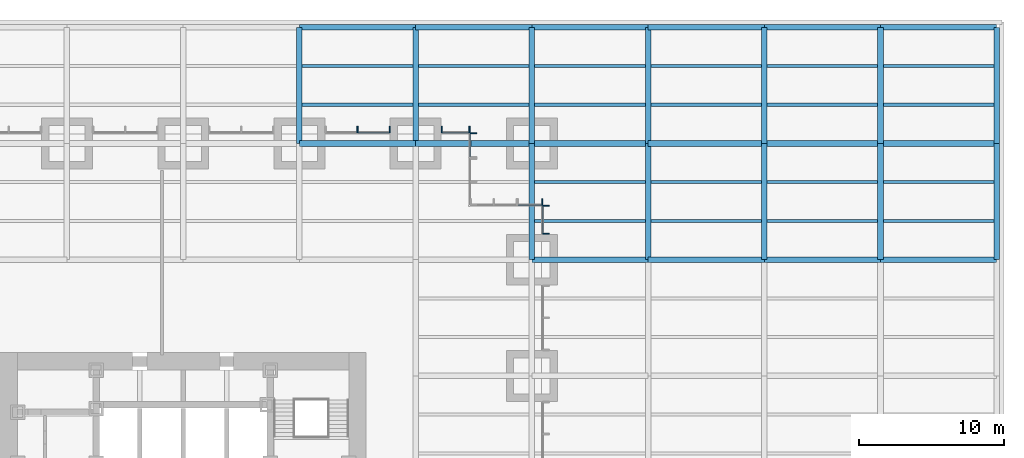
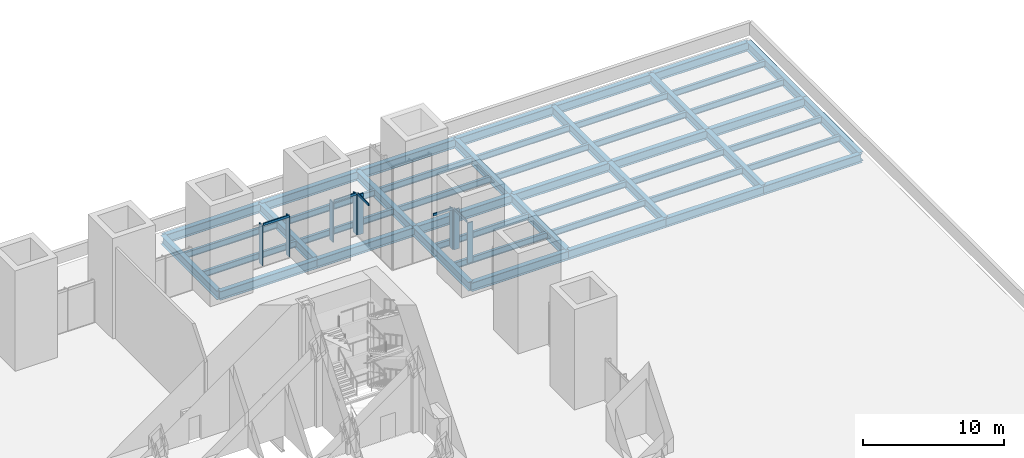
# One storey, part 11 of 20: 48 beams, 13 members, 5 elements without a shape of their own.
"""IFC4 building model written with IfcOpenShell, lengths in metres."""

from ifc_helpers import new_model, si_unit, direction, frame, origin, origin_2d, place, context, subcontext, project, spatial, rectangle, i_section, extrude, material, material_profile, profile_set, type_object, element, aggregate, save


model = new_model("IFC4")

# Units and contexts
model_context = context("Model", 3, precision=1e-05, world=origin(), true_north=direction((0.0, 1.0)))
body_context = subcontext(model_context, "Body", "Model", "MODEL_VIEW")
ifc_project = project(units=[si_unit("LENGTHUNIT", "METRE"), si_unit("AREAUNIT", "SQUARE_METRE"), si_unit("VOLUMEUNIT", "CUBIC_METRE"), si_unit("PLANEANGLEUNIT", "RADIAN"), si_unit("MASSUNIT", "GRAM", prefix="KILO")], contexts=[model_context])

# Site, building, storey
site_placement = place(None, origin())
site = spatial("IfcSite", under=ifc_project, at=site_placement, CompositionType="ELEMENT")
building_placement = place(site_placement, origin())
building = spatial("IfcBuilding", under=site, at=building_placement, Name="Daluyong Arena Tower", CompositionType="ELEMENT")
storey_placement = place(building_placement, frame((0.0, 0.0, 25.89990234375)))
storey = spatial("IfcBuildingStorey", under=building, at=storey_placement, Name="L05", CompositionType="ELEMENT", Elevation=25.89990234375)

# Curtain wall, members
ifc_material_1 = material(Name="Bronze anodised aluminium and glass", Category="aluminium")
curtain_wall_type = type_object("IfcCurtainWallType", Name="Curtain wall CW6", PredefinedType="USERDEFINED", material=ifc_material_1)
curtain_wall_1_placement = place(storey_placement, origin())
curtain_wall_1 = element("IfcCurtainWall", 1, at=curtain_wall_1_placement, inside=storey, type_object=curtain_wall_type, Name="curtain wall L05 E bay 6", ObjectType="UNITISED CURTAIN WALL", PredefinedType="USERDEFINED")
ifc_material_2 = material(Name="Bronze anodised aluminium fin", Category="aluminium")
ifc_material_profile_1 = material_profile(ifc_material_2, rectangle(XDim=0.449951171875, YDim=0.080078125, at=origin_2d()))
ifc_profile_set_1 = profile_set([ifc_material_profile_1], Name="Bronze anodised aluminium fin")
member_type_1 = type_object("IfcMemberType", Name="CW6 bronze fin 450x80", PredefinedType="MULLION", material=ifc_profile_set_1)
member_1_placement = place(storey_placement, frame((80.97509765625, 97.7900390625, 0.0), z_axis=(0.0, 0.0, 1.0), x_axis=(-1.0, 0.0, 0.0)))
member_1 = element("IfcMember", 2, at=member_1_placement, type_object=member_type_1, Name="curtain wall L05 E bay 6 fin 1", PredefinedType="MULLION", context=body_context, shape_type="SweptSolid", body=[
    extrude(rectangle(XDim=0.449951171875, YDim=0.080078125, at=origin_2d()), origin(), (0.0, 0.0, 1.0), 3.5),
])
member_2_placement = place(storey_placement, frame((80.97509765625, 99.7099609375, 0.0), z_axis=(0.0, 0.0, 1.0), x_axis=(-1.0, 0.0, 0.0)))
member_2 = element("IfcMember", 3, at=member_2_placement, type_object=member_type_1, Name="curtain wall L05 E bay 6 fin 2", PredefinedType="MULLION", context=body_context, shape_type="SweptSolid", body=[
    extrude(rectangle(XDim=0.449951171875, YDim=0.080078125, at=origin_2d()), origin(), (0.0, 0.0, 1.0), 3.5),
])

# Curtain wall, member
curtain_wall_2_placement = place(storey_placement, origin())
curtain_wall_2 = element("IfcCurtainWall", 4, at=curtain_wall_2_placement, inside=storey, type_object=curtain_wall_type, Name="curtain wall L05 NE-N bay 1", ObjectType="UNITISED CURTAIN WALL", PredefinedType="USERDEFINED")
member_3_placement = place(storey_placement, frame((80.7099609375, 99.97509765625, 0.0), z_axis=(0.0, 0.0, 1.0), x_axis=(0.0, -1.0, 0.0)))
member_3 = element("IfcMember", 5, at=member_3_placement, type_object=member_type_1, Name="curtain wall L05 NE-N bay 1 fin 1", PredefinedType="MULLION", context=body_context, shape_type="SweptSolid", body=[
    extrude(rectangle(XDim=0.449951171875, YDim=0.080078125, at=origin_2d()), origin(), (0.0, 0.0, 1.0), 3.5),
])

curtain_wall_3_placement = place(storey_placement, origin())
curtain_wall_3 = element("IfcCurtainWall", 6, at=curtain_wall_3_placement, inside=storey, type_object=curtain_wall_type, Name="curtain wall L05 NE-E bay 2", ObjectType="UNITISED CURTAIN WALL", PredefinedType="USERDEFINED")
member_4_placement = place(storey_placement, frame((75.97509765625, 104.7099609375, 0.0), z_axis=(0.0, 0.0, 1.0), x_axis=(-1.0, 0.0, 0.0)))
member_4 = element("IfcMember", 7, at=member_4_placement, type_object=member_type_1, Name="curtain wall L05 NE-E bay 2 fin 2", PredefinedType="MULLION", context=body_context, shape_type="SweptSolid", body=[
    extrude(rectangle(XDim=0.449951171875, YDim=0.080078125, at=origin_2d()), origin(), (0.0, 0.0, 1.0), 3.5),
])

# Curtain wall, members
curtain_wall_4_placement = place(storey_placement, origin())
curtain_wall_4 = element("IfcCurtainWall", 8, at=curtain_wall_4_placement, inside=storey, type_object=curtain_wall_type, Name="curtain wall L05 N bay 1", ObjectType="UNITISED CURTAIN WALL", PredefinedType="USERDEFINED")
member_5_placement = place(storey_placement, frame((75.7099609375, 104.97509765625, 0.0), z_axis=(0.0, 0.0, 1.0), x_axis=(0.0, -1.0, 0.0)))
member_5 = element("IfcMember", 9, at=member_5_placement, type_object=member_type_1, Name="curtain wall L05 N bay 1 fin 1", PredefinedType="MULLION", context=body_context, shape_type="SweptSolid", body=[
    extrude(rectangle(XDim=0.449951171875, YDim=0.080078125, at=origin_2d()), origin(), (0.0, 0.0, 1.0), 3.5),
])
member_6_placement = place(storey_placement, frame((73.7900390625, 104.97509765625, 0.0), z_axis=(0.0, 0.0, 1.0), x_axis=(0.0, -1.0, 0.0)))
member_6 = element("IfcMember", 10, at=member_6_placement, type_object=member_type_1, Name="curtain wall L05 N bay 1 fin 2", PredefinedType="MULLION", context=body_context, shape_type="SweptSolid", body=[
    extrude(rectangle(XDim=0.449951171875, YDim=0.080078125, at=origin_2d()), origin(), (0.0, 0.0, 1.0), 3.5),
])

curtain_wall_5_placement = place(storey_placement, origin())
curtain_wall_5 = element("IfcCurtainWall", 11, at=curtain_wall_5_placement, inside=storey, type_object=curtain_wall_type, Name="curtain wall L05 N bay 2", ObjectType="UNITISED CURTAIN WALL", PredefinedType="USERDEFINED")
member_7_placement = place(storey_placement, frame((70.2099609375, 104.97509765625, 0.0), z_axis=(0.0, 0.0, 1.0), x_axis=(0.0, -1.0, 0.0)))
member_7 = element("IfcMember", 12, at=member_7_placement, type_object=member_type_1, Name="curtain wall L05 N bay 2 fin 1", PredefinedType="MULLION", context=body_context, shape_type="SweptSolid", body=[
    extrude(rectangle(XDim=0.449951171875, YDim=0.080078125, at=origin_2d()), origin(), (0.0, 0.0, 1.0), 3.5),
])
member_8_placement = place(storey_placement, frame((68.0, 104.97509765625, 0.0), z_axis=(0.0, 0.0, 1.0), x_axis=(0.0, -1.0, 0.0)))
member_8 = element("IfcMember", 13, at=member_8_placement, type_object=member_type_1, Name="curtain wall L05 N bay 2 fin 2", PredefinedType="MULLION", context=body_context, shape_type="SweptSolid", body=[
    extrude(rectangle(XDim=0.449951171875, YDim=0.080078125, at=origin_2d()), origin(), (0.0, 0.0, 1.0), 3.5),
])

# Member
ifc_material_3 = material(Name="Bronze anodised aluminium", Category="aluminium")
ifc_material_profile_2 = material_profile(ifc_material_3, rectangle(XDim=0.080078125, YDim=0.199951171875, at=origin_2d()))
ifc_profile_set_2 = profile_set([ifc_material_profile_2], Name="Bronze anodised aluminium")
member_type_2 = type_object("IfcMemberType", Name="CW6 stack transom 200x80", PredefinedType="USERDEFINED", material=ifc_profile_set_2)
member_9_placement = place(storey_placement, frame((80.75, 97.830078125, 3.60009765625), z_axis=(0.0, 1.0, 0.0), x_axis=(-1.0, 0.0, 0.0)))
member_9 = element("IfcMember", 14, at=member_9_placement, type_object=member_type_2, Name="curtain wall L05 E bay 6 transom 1", ObjectType="TRANSOM", PredefinedType="USERDEFINED", context=body_context, shape_type="SweptSolid", body=[
    extrude(rectangle(XDim=0.080078125, YDim=0.199951171875, at=origin_2d()), origin(), (0.0, 0.0, 1.0), 1.83984375),
])

aggregate(curtain_wall_1, [member_1, member_2, member_9])

member_10_placement = place(storey_placement, frame((80.669921875, 99.75, 3.60009765625), z_axis=(-1.0, 0.0, 0.0), x_axis=(0.0, -1.0, 0.0)))
member_10 = element("IfcMember", 15, at=member_10_placement, type_object=member_type_2, Name="curtain wall L05 NE-N bay 1 transom 1", ObjectType="TRANSOM", PredefinedType="USERDEFINED", context=body_context, shape_type="SweptSolid", body=[
    extrude(rectangle(XDim=0.080078125, YDim=0.199951171875, at=origin_2d()), origin(), (0.0, 0.0, 1.0), 1.58984375),
])

aggregate(curtain_wall_2, [member_3, member_10])

member_11_placement = place(storey_placement, frame((75.75, 103.080078125, 3.60009765625), z_axis=(0.0, 1.0, 0.0), x_axis=(-1.0, 0.0, 0.0)))
member_11 = element("IfcMember", 16, at=member_11_placement, type_object=member_type_2, Name="curtain wall L05 NE-E bay 2 transom 1", ObjectType="TRANSOM", PredefinedType="USERDEFINED", context=body_context, shape_type="SweptSolid", body=[
    extrude(rectangle(XDim=0.080078125, YDim=0.199951171875, at=origin_2d()), origin(), (0.0, 0.0, 1.0), 1.58984375),
])

aggregate(curtain_wall_3, [member_4, member_11])

member_12_placement = place(storey_placement, frame((75.669921875, 104.75, 3.60009765625), z_axis=(-1.0, 0.0, 0.0), x_axis=(0.0, -1.0, 0.0)))
member_12 = element("IfcMember", 17, at=member_12_placement, type_object=member_type_2, Name="curtain wall L05 N bay 1 transom 1", ObjectType="TRANSOM", PredefinedType="USERDEFINED", context=body_context, shape_type="SweptSolid", body=[
    extrude(rectangle(XDim=0.080078125, YDim=0.199951171875, at=origin_2d()), origin(), (0.0, 0.0, 1.0), 1.83984375),
])

aggregate(curtain_wall_4, [member_5, member_6, member_12])

member_13_placement = place(storey_placement, frame((70.169921875, 104.75, 3.60009765625), z_axis=(-1.0, 0.0, 0.0), x_axis=(0.0, -1.0, 0.0)))
member_13 = element("IfcMember", 18, at=member_13_placement, type_object=member_type_2, Name="curtain wall L05 N bay 2 transom 1", ObjectType="TRANSOM", PredefinedType="USERDEFINED", context=body_context, shape_type="SweptSolid", body=[
    extrude(rectangle(XDim=0.080078125, YDim=0.199951171875, at=origin_2d()), origin(), (0.0, 0.0, 1.0), 2.1298828125),
])

aggregate(curtain_wall_5, [member_7, member_8, member_13])

# Beams
ifc_material_4 = material(Name="Steel ASTM A992 Grade 50", Category="steel")
ifc_material_profile_3 = material_profile(ifc_material_4, i_section(OverallWidth=0.209228515625, OverallDepth=0.533447265625, WebThickness=0.01025390625, FlangeThickness=0.015625, at=origin_2d()))
ifc_profile_set_3 = profile_set([ifc_material_profile_3], Name="Steel ASTM A992 Grade 50")
beam_type_1 = type_object("IfcBeamType", Name="Podium floor beam W21X62", PredefinedType="BEAM", material=ifc_profile_set_3)
for number, where, z_axis, x_axis, name in (
    (19, (64.1904296875, 106.666748046875, -0.5166015625), (1.0, 0.0, 0.0), (0.0, 1.0, 0.0), "podium floor beam PB1"),
    (20, (64.1904296875, 109.333251953125, -0.5166015625), (1.0, 0.0, 0.0), (0.0, 1.0, 0.0), "podium floor beam PB1"),
    (21, (72.1904296875, 106.666748046875, -0.5166015625), (1.0, 0.0, 0.0), (0.0, 1.0, 0.0), "podium floor beam PB1"),
    (22, (72.1904296875, 109.333251953125, -0.5166015625), (1.0, 0.0, 0.0), (0.0, 1.0, 0.0), "podium floor beam PB1"),
    (23, (80.1904296875, 98.666748046875, -0.5166015625), (1.0, 0.0, 0.0), (0.0, 1.0, 0.0), "podium floor beam PB1"),
    (24, (80.1904296875, 101.333251953125, -0.5166015625), (1.0, 0.0, 0.0), (0.0, 1.0, 0.0), "podium floor beam PB1"),
    (25, (80.1904296875, 106.666748046875, -0.5166015625), (1.0, 0.0, 0.0), (0.0, 1.0, 0.0), "podium floor beam PB1"),
    (26, (80.1904296875, 109.333251953125, -0.5166015625), (1.0, 0.0, 0.0), (0.0, 1.0, 0.0), "podium floor beam PB1"),
    (27, (88.1904296875, 98.666748046875, -0.5166015625), (1.0, 0.0, 0.0), (0.0, 1.0, 0.0), "podium floor beam PB1"),
    (28, (88.1904296875, 101.333251953125, -0.5166015625), (1.0, 0.0, 0.0), (0.0, 1.0, 0.0), "podium floor beam PB1"),
    (29, (88.1904296875, 106.666748046875, -0.5166015625), (1.0, 0.0, 0.0), (0.0, 1.0, 0.0), "podium floor beam PB1"),
    (30, (88.1904296875, 109.333251953125, -0.5166015625), (1.0, 0.0, 0.0), (0.0, 1.0, 0.0), "podium floor beam PB1"),
    (31, (96.1904296875, 98.666748046875, -0.5166015625), (1.0, 0.0, 0.0), (0.0, 1.0, 0.0), "podium floor beam PB1"),
    (32, (96.1904296875, 101.333251953125, -0.5166015625), (1.0, 0.0, 0.0), (0.0, 1.0, 0.0), "podium floor beam PB1"),
    (33, (96.1904296875, 106.666748046875, -0.5166015625), (1.0, 0.0, 0.0), (0.0, 1.0, 0.0), "podium floor beam PB1"),
    (34, (96.1904296875, 109.333251953125, -0.5166015625), (1.0, 0.0, 0.0), (0.0, 1.0, 0.0), "podium floor beam PB1"),
    (35, (104.1904296875, 98.666748046875, -0.5166015625), (1.0, 0.0, 0.0), (0.0, 1.0, 0.0), "podium floor beam PB1"),
    (36, (104.1904296875, 101.333251953125, -0.5166015625), (1.0, 0.0, 0.0), (0.0, 1.0, 0.0), "podium floor beam PB1"),
    (37, (104.1904296875, 106.666748046875, -0.5166015625), (1.0, 0.0, 0.0), (0.0, 1.0, 0.0), "podium floor beam PB1"),
    (38, (104.1904296875, 109.333251953125, -0.5166015625), (1.0, 0.0, 0.0), (0.0, 1.0, 0.0), "podium floor beam PB1"),
):
    element("IfcBeam", number, at=place(storey_placement, frame(where, z_axis=z_axis, x_axis=x_axis)), inside=storey, type_object=beam_type_1, Name=name, PredefinedType="BEAM", context=body_context, shape_type="SweptSolid", body=[
        extrude(i_section(OverallWidth=0.209228515625, OverallDepth=0.533447265625, WebThickness=0.01025390625, FlangeThickness=0.015625, at=origin_2d()), origin(), (0.0, 0.0, 1.0), 7.619140625),
    ])
ifc_material_5 = material(Name="Steel ASTM A992 Grade 50", Category="steel")
ifc_material_profile_4 = material_profile(ifc_material_5, i_section(OverallWidth=0.381103515625, OverallDepth=0.772216796875, WebThickness=0.0166015625, FlangeThickness=0.027099609375, at=origin_2d()))
ifc_profile_set_4 = profile_set([ifc_material_profile_4], Name="Steel ASTM A992 Grade 50")
beam_type_2 = type_object("IfcBeamType", Name="Podium girder W30X173", PredefinedType="BEAM", material=ifc_profile_set_4)
for number, where, z_axis, x_axis, name in (
    (39, (64.0, 104.0, -0.635986328125), (1.0, 0.0, 0.0), (0.0, 1.0, 0.0), "podium girder PG1"),
    (40, (64.0, 104.0, -0.635986328125), (0.0, 1.0, 0.0), (-1.0, 0.0, 0.0), "podium girder PG1"),
    (41, (64.0, 112.0, -0.635986328125), (1.0, 0.0, 0.0), (0.0, 1.0, 0.0), "podium girder PG1"),
    (42, (72.0, 104.0, -0.635986328125), (1.0, 0.0, 0.0), (0.0, 1.0, 0.0), "podium girder PG1"),
    (43, (72.0, 104.0, -0.635986328125), (0.0, 1.0, 0.0), (-1.0, 0.0, 0.0), "podium girder PG1"),
    (44, (72.0, 112.0, -0.635986328125), (1.0, 0.0, 0.0), (0.0, 1.0, 0.0), "podium girder PG1"),
    (45, (80.0, 96.0, -0.635986328125), (1.0, 0.0, 0.0), (0.0, 1.0, 0.0), "podium girder PG1"),
    (46, (80.0, 96.0, -0.635986328125), (0.0, 1.0, 0.0), (-1.0, 0.0, 0.0), "podium girder PG1"),
    (47, (80.0, 104.0, -0.635986328125), (1.0, 0.0, 0.0), (0.0, 1.0, 0.0), "podium girder PG1"),
    (48, (80.0, 104.0, -0.635986328125), (0.0, 1.0, 0.0), (-1.0, 0.0, 0.0), "podium girder PG1"),
    (49, (80.0, 112.0, -0.635986328125), (1.0, 0.0, 0.0), (0.0, 1.0, 0.0), "podium girder PG1"),
    (50, (88.0, 96.0, -0.635986328125), (1.0, 0.0, 0.0), (0.0, 1.0, 0.0), "podium girder PG1"),
    (51, (88.0, 96.0, -0.635986328125), (0.0, 1.0, 0.0), (-1.0, 0.0, 0.0), "podium girder PG1"),
    (52, (88.0, 104.0, -0.635986328125), (1.0, 0.0, 0.0), (0.0, 1.0, 0.0), "podium girder PG1"),
    (53, (88.0, 104.0, -0.635986328125), (0.0, 1.0, 0.0), (-1.0, 0.0, 0.0), "podium girder PG1"),
    (54, (88.0, 112.0, -0.635986328125), (1.0, 0.0, 0.0), (0.0, 1.0, 0.0), "podium girder PG1"),
    (55, (96.0, 96.0, -0.635986328125), (1.0, 0.0, 0.0), (0.0, 1.0, 0.0), "podium girder PG1"),
    (56, (96.0, 96.0, -0.635986328125), (0.0, 1.0, 0.0), (-1.0, 0.0, 0.0), "podium girder PG1"),
    (57, (96.0, 104.0, -0.635986328125), (1.0, 0.0, 0.0), (0.0, 1.0, 0.0), "podium girder PG1"),
    (58, (96.0, 104.0, -0.635986328125), (0.0, 1.0, 0.0), (-1.0, 0.0, 0.0), "podium girder PG1"),
    (59, (96.0, 112.0, -0.635986328125), (1.0, 0.0, 0.0), (0.0, 1.0, 0.0), "podium girder PG1"),
    (60, (104.0, 96.0, -0.635986328125), (1.0, 0.0, 0.0), (0.0, 1.0, 0.0), "podium girder PG1"),
    (61, (104.0, 96.0, -0.635986328125), (0.0, 1.0, 0.0), (-1.0, 0.0, 0.0), "podium girder PG1"),
    (62, (104.0, 104.0, -0.635986328125), (1.0, 0.0, 0.0), (0.0, 1.0, 0.0), "podium girder PG1"),
    (63, (104.0, 104.0, -0.635986328125), (0.0, 1.0, 0.0), (-1.0, 0.0, 0.0), "podium girder PG1"),
    (64, (104.0, 112.0, -0.635986328125), (1.0, 0.0, 0.0), (0.0, 1.0, 0.0), "podium girder PG1"),
    (65, (112.0, 96.0, -0.635986328125), (0.0, 1.0, 0.0), (-1.0, 0.0, 0.0), "podium girder PG1"),
    (66, (112.0, 104.0, -0.635986328125), (0.0, 1.0, 0.0), (-1.0, 0.0, 0.0), "podium girder PG1"),
):
    element("IfcBeam", number, at=place(storey_placement, frame(where, z_axis=z_axis, x_axis=x_axis)), inside=storey, type_object=beam_type_2, Name=name, PredefinedType="BEAM", context=body_context, shape_type="SweptSolid", body=[
        extrude(i_section(OverallWidth=0.381103515625, OverallDepth=0.772216796875, WebThickness=0.0166015625, FlangeThickness=0.027099609375, at=origin_2d()), origin(), (0.0, 0.0, 1.0), 8.0),
    ])

save(model, "model.ifc")
